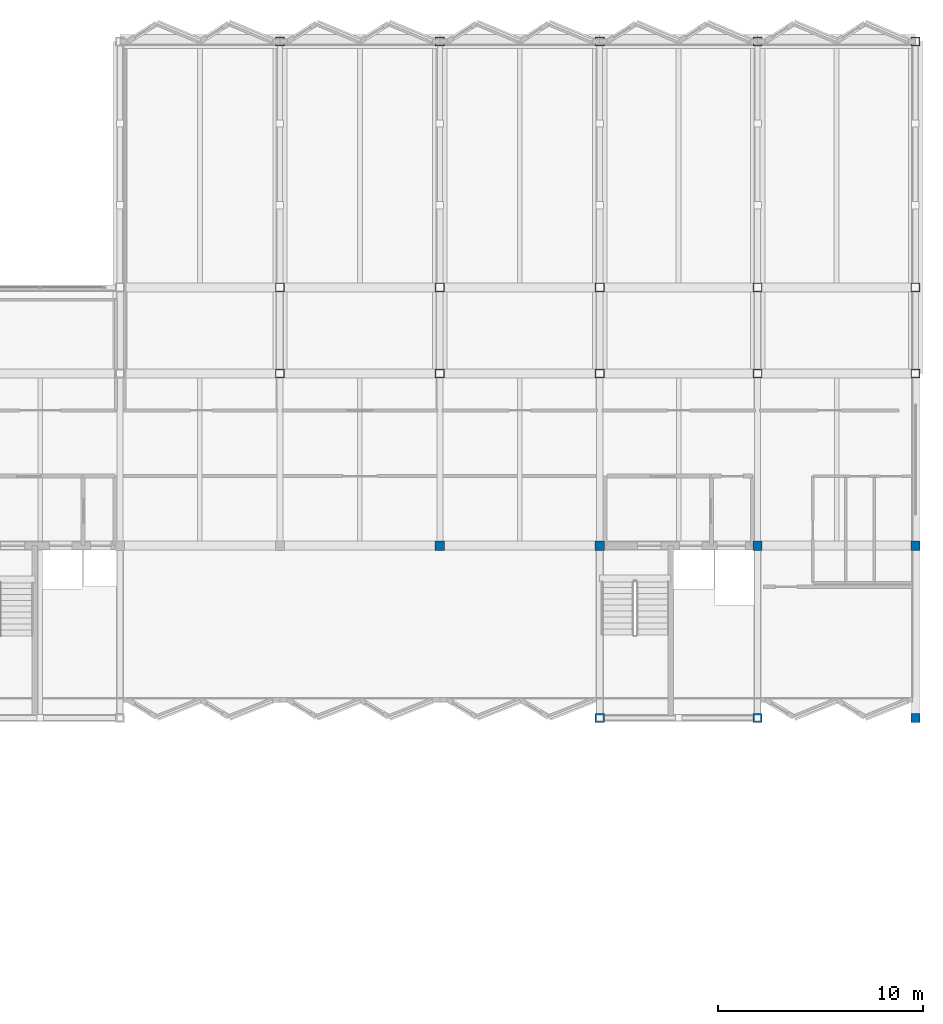
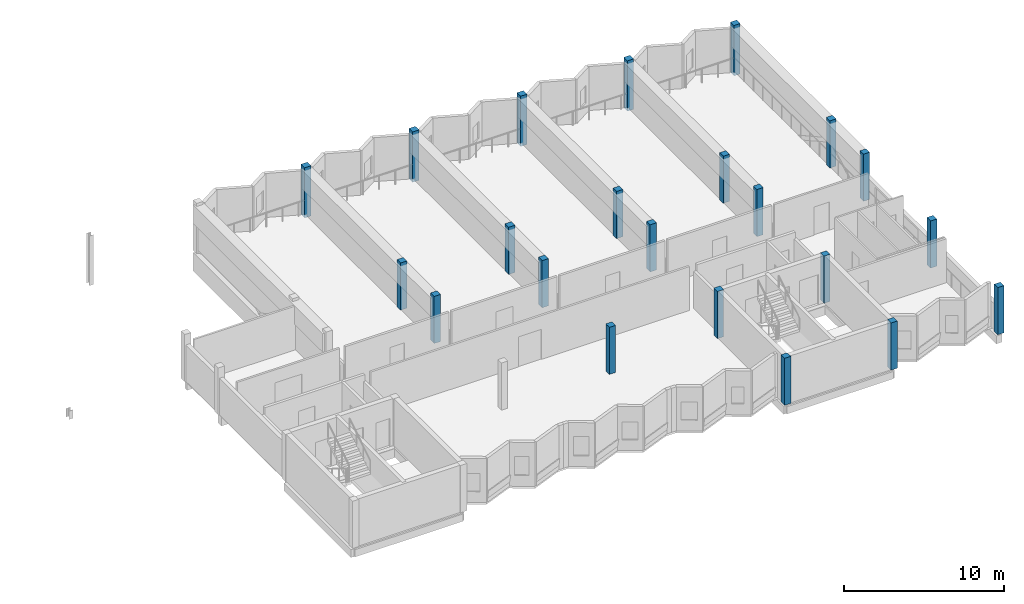
# One storey, part 5 of 34: 22 columns.
"""IFC4 building model written with IfcOpenShell, lengths in metres."""

from ifc_helpers import new_model, si_unit, direction, frame, origin, origin_2d, place, context, subcontext, project, spatial, rectangle, extrude, material, material_profile, profile_set, type_object, element, save


model = new_model("IFC4")

# Units and contexts
model_context = context("Model", 3, precision=1e-05, world=origin(), true_north=direction((0.0, 1.0)))
body_context = subcontext(model_context, "Body", "Model", "MODEL_VIEW")
ifc_project = project(units=[si_unit("LENGTHUNIT", "METRE"), si_unit("AREAUNIT", "SQUARE_METRE"), si_unit("VOLUMEUNIT", "CUBIC_METRE"), si_unit("PLANEANGLEUNIT", "RADIAN"), si_unit("MASSUNIT", "GRAM", prefix="KILO")], contexts=[model_context])

# Site, building, storey
site_placement = place(None, origin())
site = spatial("IfcSite", under=ifc_project, at=site_placement, CompositionType="ELEMENT")
building_placement = place(site_placement, origin())
building = spatial("IfcBuilding", under=site, at=building_placement, Name="Vharandega Faculty of Natural Sciences", CompositionType="ELEMENT")
storey_placement = place(building_placement, frame((0.0, 0.0, 21.60009765625)))
storey = spatial("IfcBuildingStorey", under=building, at=storey_placement, Name="L05", CompositionType="ELEMENT", Elevation=21.60009765625)

# Columns
ifc_material = material(Name="Glulam GL32h", Category="wood")
ifc_material_profile = material_profile(ifc_material, rectangle(XDim=0.449951171875, YDim=0.449951171875, at=origin_2d()), Name="GL32h 450x450")
ifc_profile_set = profile_set([ifc_material_profile], Name="Glulam GL32h")
column_type = type_object("IfcColumnType", Name="Glulam Column 450x450", PredefinedType="COLUMN", material=ifc_profile_set)
for number, where, z_axis, x_axis, name in (
    (1, (130.39990234375, 80.800048828125, 0.0), (0.0, 0.0, 1.0), (1.0, 0.0, 0.0), "Column 17/L L05"),
    (2, (130.39990234375, 85.0, 0.0), (0.0, 0.0, 1.0), (1.0, 0.0, 0.0), "Column 17/M L05"),
):
    element("IfcColumn", number, at=place(storey_placement, frame(where, z_axis=z_axis, x_axis=x_axis)), inside=storey, type_object=column_type, Name=name, PredefinedType="COLUMN", context=body_context, shape_type="SweptSolid", body=[
        extrude(rectangle(XDim=0.449951171875, YDim=0.449951171875, at=origin_2d()), origin(), (0.0, 0.0, 1.0), 3.599853515625),
    ])
column_1_placement = place(storey_placement, frame((130.39990234375, 97.0, -0.239990234375), z_axis=(0.0, 0.0, 1.0), x_axis=(1.0, 0.0, 0.0)))
element("IfcColumn", 3, at=column_1_placement, inside=storey, type_object=column_type, Name="Column 17/N L05", PredefinedType="COLUMN", context=body_context, shape_type="SweptSolid", body=[
    extrude(rectangle(XDim=0.449951171875, YDim=0.449951171875, at=origin_2d()), origin(), (0.0, 0.0, 1.0), 3.83984375),
])
for number, where, z_axis, x_axis, name in (
    (4, (138.199951171875, 72.39990234375, 0.0), (0.0, 0.0, 1.0), (1.0, 0.0, 0.0), "Column 18/K L05"),
    (5, (138.199951171875, 80.800048828125, 0.0), (0.0, 0.0, 1.0), (1.0, 0.0, 0.0), "Column 18/L L05"),
    (6, (138.199951171875, 85.0, 0.0), (0.0, 0.0, 1.0), (1.0, 0.0, 0.0), "Column 18/M L05"),
):
    element("IfcColumn", number, at=place(storey_placement, frame(where, z_axis=z_axis, x_axis=x_axis)), inside=storey, type_object=column_type, Name=name, PredefinedType="COLUMN", context=body_context, shape_type="SweptSolid", body=[
        extrude(rectangle(XDim=0.449951171875, YDim=0.449951171875, at=origin_2d()), origin(), (0.0, 0.0, 1.0), 3.599853515625),
    ])
column_2_placement = place(storey_placement, frame((138.199951171875, 97.0, -0.239990234375), z_axis=(0.0, 0.0, 1.0), x_axis=(1.0, 0.0, 0.0)))
element("IfcColumn", 7, at=column_2_placement, inside=storey, type_object=column_type, Name="Column 18/N L05", PredefinedType="COLUMN", context=body_context, shape_type="SweptSolid", body=[
    extrude(rectangle(XDim=0.449951171875, YDim=0.449951171875, at=origin_2d()), origin(), (0.0, 0.0, 1.0), 3.83984375),
])
for number, where, z_axis, x_axis, name in (
    (8, (146.0, 64.0, 0.0), (0.0, 0.0, 1.0), (1.0, 0.0, 0.0), "Column 19/J L05"),
    (9, (146.0, 72.39990234375, 0.0), (0.0, 0.0, 1.0), (1.0, 0.0, 0.0), "Column 19/K L05"),
    (10, (146.0, 80.800048828125, 0.0), (0.0, 0.0, 1.0), (1.0, 0.0, 0.0), "Column 19/L L05"),
    (11, (146.0, 85.0, 0.0), (0.0, 0.0, 1.0), (1.0, 0.0, 0.0), "Column 19/M L05"),
):
    element("IfcColumn", number, at=place(storey_placement, frame(where, z_axis=z_axis, x_axis=x_axis)), inside=storey, type_object=column_type, Name=name, PredefinedType="COLUMN", context=body_context, shape_type="SweptSolid", body=[
        extrude(rectangle(XDim=0.449951171875, YDim=0.449951171875, at=origin_2d()), origin(), (0.0, 0.0, 1.0), 3.599853515625),
    ])
column_3_placement = place(storey_placement, frame((146.0, 97.0, -0.239990234375), z_axis=(0.0, 0.0, 1.0), x_axis=(1.0, 0.0, 0.0)))
element("IfcColumn", 12, at=column_3_placement, inside=storey, type_object=column_type, Name="Column 19/N L05", PredefinedType="COLUMN", context=body_context, shape_type="SweptSolid", body=[
    extrude(rectangle(XDim=0.449951171875, YDim=0.449951171875, at=origin_2d()), origin(), (0.0, 0.0, 1.0), 3.83984375),
])
for number, where, z_axis, x_axis, name in (
    (13, (153.699951171875, 64.0, 0.0), (0.0, 0.0, 1.0), (1.0, 0.0, 0.0), "Column 20/J L05"),
    (14, (153.699951171875, 72.39990234375, 0.0), (0.0, 0.0, 1.0), (1.0, 0.0, 0.0), "Column 20/K L05"),
    (15, (153.699951171875, 80.800048828125, 0.0), (0.0, 0.0, 1.0), (1.0, 0.0, 0.0), "Column 20/L L05"),
    (16, (153.699951171875, 85.0, 0.0), (0.0, 0.0, 1.0), (1.0, 0.0, 0.0), "Column 20/M L05"),
):
    element("IfcColumn", number, at=place(storey_placement, frame(where, z_axis=z_axis, x_axis=x_axis)), inside=storey, type_object=column_type, Name=name, PredefinedType="COLUMN", context=body_context, shape_type="SweptSolid", body=[
        extrude(rectangle(XDim=0.449951171875, YDim=0.449951171875, at=origin_2d()), origin(), (0.0, 0.0, 1.0), 3.599853515625),
    ])
column_4_placement = place(storey_placement, frame((153.699951171875, 97.0, -0.239990234375), z_axis=(0.0, 0.0, 1.0), x_axis=(1.0, 0.0, 0.0)))
element("IfcColumn", 17, at=column_4_placement, inside=storey, type_object=column_type, Name="Column 20/N L05", PredefinedType="COLUMN", context=body_context, shape_type="SweptSolid", body=[
    extrude(rectangle(XDim=0.449951171875, YDim=0.449951171875, at=origin_2d()), origin(), (0.0, 0.0, 1.0), 3.83984375),
])
for number, where, z_axis, x_axis, name in (
    (18, (161.39990234375, 64.0, 0.0), (0.0, 0.0, 1.0), (1.0, 0.0, 0.0), "Column 21/J L05"),
    (19, (161.39990234375, 72.39990234375, 0.0), (0.0, 0.0, 1.0), (1.0, 0.0, 0.0), "Column 21/K L05"),
    (20, (161.39990234375, 80.800048828125, 0.0), (0.0, 0.0, 1.0), (1.0, 0.0, 0.0), "Column 21/L L05"),
    (21, (161.39990234375, 85.0, 0.0), (0.0, 0.0, 1.0), (1.0, 0.0, 0.0), "Column 21/M L05"),
):
    element("IfcColumn", number, at=place(storey_placement, frame(where, z_axis=z_axis, x_axis=x_axis)), inside=storey, type_object=column_type, Name=name, PredefinedType="COLUMN", context=body_context, shape_type="SweptSolid", body=[
        extrude(rectangle(XDim=0.449951171875, YDim=0.449951171875, at=origin_2d()), origin(), (0.0, 0.0, 1.0), 3.599853515625),
    ])
column_5_placement = place(storey_placement, frame((161.39990234375, 97.0, -0.239990234375), z_axis=(0.0, 0.0, 1.0), x_axis=(1.0, 0.0, 0.0)))
element("IfcColumn", 22, at=column_5_placement, inside=storey, type_object=column_type, Name="Column 21/N L05", PredefinedType="COLUMN", context=body_context, shape_type="SweptSolid", body=[
    extrude(rectangle(XDim=0.449951171875, YDim=0.449951171875, at=origin_2d()), origin(), (0.0, 0.0, 1.0), 3.83984375),
])

save(model, "model.ifc")
